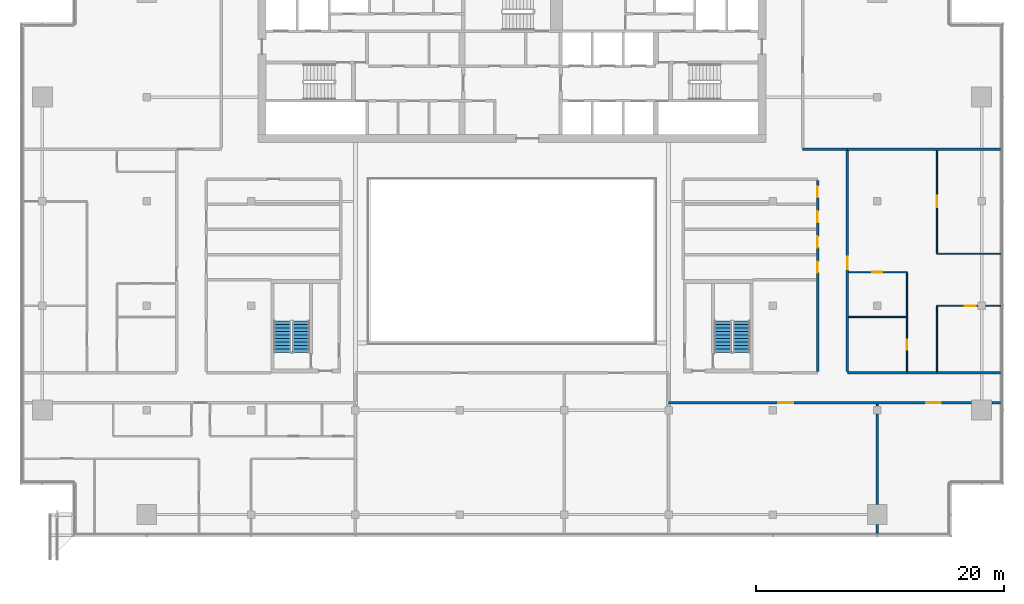
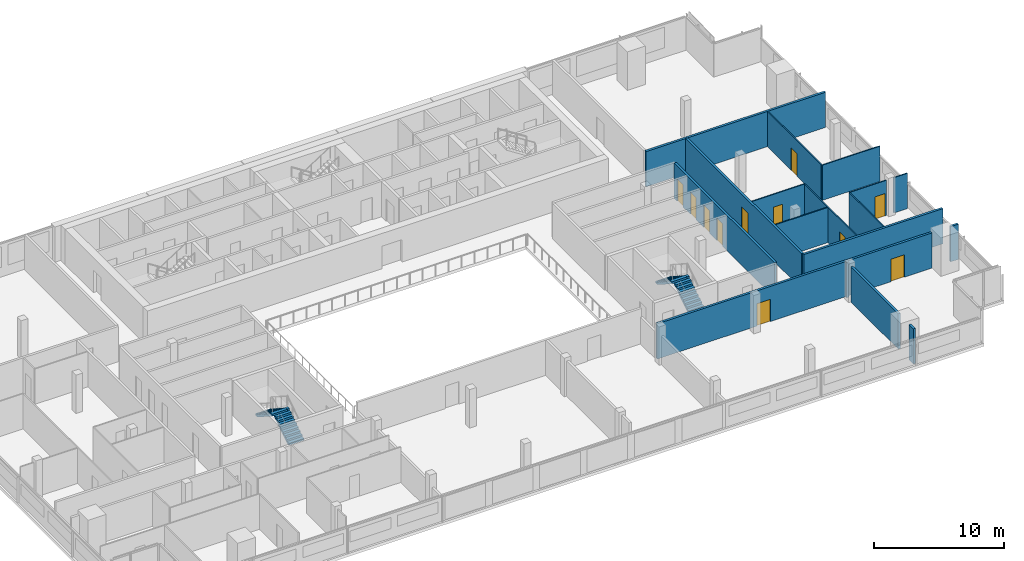
# One storey, part 22 of 25: 18 walls, 11 doors, 4 stair flights, 11 openings, 2 elements without a shape of their own.
"""IFC4 building model written with IfcOpenShell, lengths in metres."""

import ifcopenshell
import ifcopenshell.guid

model = None  # the IFC model being written
_history = None  # IfcOwnerHistory: only IFC2X3 demands one
_inside = {}  # id of a spatial element -> (the spatial element, [elements in it])
_under = {}  # id of a project, library or spatial element -> (it, [spatial elements below it])
_declared = {}  # id of a project -> (the project, [libraries it declares])
_typed = {}  # id of a type object -> (the type object, [elements of that type])
_made_of = {}  # id of a material, layer set ... -> (it, [elements and type objects made of it])


def new_model(schema):
    """Start an empty IFC model of exactly this schema.

    Asked for "IFC4X3", IfcOpenShell would pick the latest addendum, in which some entities
    have other attributes; the version numbers below select the first issue.
    IFC2X3 requires an IfcOwnerHistory on every rooted entity: one is made here for all.
    """
    global model, _history
    if schema == "IFC4X3":
        model = ifcopenshell.file(schema_version=(4, 3, 0, 0))
    else:
        model = ifcopenshell.file(schema=schema)
    _inside.clear()
    _under.clear()
    _declared.clear()
    _typed.clear()
    _made_of.clear()
    _history = None
    if model.schema == "IFC2X3":
        org = make("IfcOrganization", Name="unknown")
        user = make(
            "IfcPersonAndOrganization",
            ThePerson=make("IfcPerson", FamilyName="unknown"),
            TheOrganization=org,
        )
        app = make(
            "IfcApplication",
            ApplicationDeveloper=org,
            Version="unknown",
            ApplicationFullName="unknown",
            ApplicationIdentifier="unknown",
        )
        _history = make(
            "IfcOwnerHistory",
            OwningUser=user,
            OwningApplication=app,
            ChangeAction="ADDED",
            CreationDate=0,
        )
    return model


def make(cls, **values):
    """One entity of the class cls with the attributes given. An attribute that is None is left unset."""
    return model.create_entity(
        cls, **{name: value for name, value in values.items() if value is not None}
    )


def rooted(cls, **values):
    """An entity with a GlobalId (a new one), such as an element, a storey or a relation."""
    return make(cls, GlobalId=ifcopenshell.guid.new(), OwnerHistory=_history, **values)


def si_unit(unit_type, name, prefix=None):
    """IfcSIUnit, for example si_unit("LENGTHUNIT", "METRE", prefix="MILLI")."""
    return make("IfcSIUnit", UnitType=unit_type, Prefix=prefix, Name=name)


def assignment(units):
    """IfcUnitAssignment: the units of a project."""
    return None if units is None else make("IfcUnitAssignment", Units=units)


def point(xyz):
    """IfcCartesianPoint."""
    return None if xyz is None else make("IfcCartesianPoint", Coordinates=xyz)


def direction(xyz):
    """IfcDirection."""
    return None if xyz is None else make("IfcDirection", DirectionRatios=xyz)


def frame(location, z_axis=None, x_axis=None):
    """IfcAxis2Placement3D, a coordinate frame: its origin and axes. An axis left out is left unset."""
    return make(
        "IfcAxis2Placement3D",
        Location=point(location),
        Axis=direction(z_axis),
        RefDirection=direction(x_axis),
    )


def frame_2d(location, x_axis=None):
    """IfcAxis2Placement2D, a coordinate frame in the plane: its origin and x axis."""
    return make(
        "IfcAxis2Placement2D", Location=point(location), RefDirection=direction(x_axis)
    )


def origin():
    """The frame at (0, 0, 0) with its axes left unset."""
    return frame((0.0, 0.0, 0.0))


def place(relative_to, where):
    """IfcLocalPlacement: puts the frame where relative to a parent placement (None: the world)."""
    return make(
        "IfcLocalPlacement", PlacementRelTo=relative_to, RelativePlacement=where
    )


def context(
    kind, dimensions, precision=None, world=None, true_north=None, identifier=None
):
    """IfcGeometricRepresentationContext, for example the 3D "Model" context."""
    return make(
        "IfcGeometricRepresentationContext",
        ContextIdentifier=identifier,
        ContextType=kind,
        CoordinateSpaceDimension=dimensions,
        Precision=precision,
        WorldCoordinateSystem=world,
        TrueNorth=true_north,
    )


def subcontext(parent, identifier, kind, view, scale=None):
    """IfcGeometricRepresentationSubContext, for example "Body" below "Model"."""
    return make(
        "IfcGeometricRepresentationSubContext",
        ContextIdentifier=identifier,
        ContextType=kind,
        ParentContext=parent,
        TargetScale=scale,
        TargetView=view,
    )


def project(units=None, contexts=None):
    """IfcProject with its units and contexts."""
    return rooted(
        "IfcProject",
        Name="project",
        RepresentationContexts=contexts,
        UnitsInContext=assignment(units),
    )


def spatial(cls, under=None, at=None, **own):
    """A site, building, storey or space (cls), placed at a placement, below another one or the project."""
    s = rooted(cls, ObjectPlacement=at, **own)
    if under is not None:
        _under.setdefault(under.id(), (under, []))[1].append(s)
    return s


def polyline(points):
    """IfcPolyline through the points."""
    return make("IfcPolyline", Points=[point(p) for p in points])


def profile(cls, at=None, kind="AREA", **sizes):
    """A parametric profile (cls). Its sizes go by their IFC names, for example OverallWidth=200.0."""
    return make(cls, ProfileType=kind, Position=at, **sizes)


def rectangle(**sizes):
    """IfcRectangleProfileDef."""
    return profile("IfcRectangleProfileDef", **sizes)


def outline(outer, holes=None, kind="AREA"):
    """IfcArbitraryClosedProfileDef: a profile drawn as a closed curve; with holes, ...WithVoids."""
    if holes is None:
        return make("IfcArbitraryClosedProfileDef", ProfileType=kind, OuterCurve=outer)
    return make(
        "IfcArbitraryProfileDefWithVoids",
        ProfileType=kind,
        OuterCurve=outer,
        InnerCurves=holes,
    )


def extrude(swept, where, along, depth):
    """IfcExtrudedAreaSolid: the profile swept, set in the frame where, extruded along a direction by depth."""
    return make(
        "IfcExtrudedAreaSolid",
        SweptArea=swept,
        Position=where,
        ExtrudedDirection=direction(along),
        Depth=depth,
    )


def shape(context_of_items, identifier, shape_type, items):
    """IfcShapeRepresentation: the items that make up one representation, for example the "Body"."""
    return make(
        "IfcShapeRepresentation",
        ContextOfItems=context_of_items,
        RepresentationIdentifier=identifier,
        RepresentationType=shape_type,
        Items=items,
    )


def material(Name=None, Category=None):
    """IfcMaterial."""
    return make("IfcMaterial", Name=Name, Category=Category)


def layer(
    of_material, thickness, ventilated=None, Name=None, Category=None, Priority=None
):
    """IfcMaterialLayer: one layer of a wall or slab, of a material (None: an air gap)."""
    return make(
        "IfcMaterialLayer",
        Material=of_material,
        LayerThickness=thickness,
        IsVentilated=ventilated,
        Name=Name,
        Category=Category,
        Priority=Priority,
    )


def layer_set(layers, Name=None):
    """IfcMaterialLayerSet."""
    return make("IfcMaterialLayerSet", MaterialLayers=layers, LayerSetName=Name)


def made_of(thing, what):
    """Note that an element or type object is made of a material, layer set ...; save() writes the relation."""
    if what is not None:
        _made_of.setdefault(what.id(), (what, []))[1].append(thing)
    return thing


def type_object(cls, material=None, **own):
    """A type object (cls), such as IfcWallType, which elements share."""
    return made_of(rooted(cls, **own), material)


def element(
    cls,
    number,
    at=None,
    inside=None,
    cuts=None,
    type_object=None,
    material=None,
    context=None,
    identifier="Body",
    shape_type=None,
    held_by="IfcProductDefinitionShape",
    body=None,
    shapes=None,
    **own,
):
    """One element of the class cls, such as IfcWall. Its Tag is "e" and its number.

    at: its placement. inside: the storey or other place that contains it. cuts: it is an
    opening in that element (IfcRelVoidsElement). A single representation is given by context,
    identifier, shape_type and body (its items); several are given by shapes. held_by: the class
    of the entity that holds the representations. save() writes the other relations.
    """
    e = rooted(cls, Tag="e%d" % number, ObjectPlacement=at, **own)
    if body is not None:
        shapes = [shape(context, identifier, shape_type, body)]
    if shapes is not None:
        e.Representation = make(held_by, Representations=shapes)
    if inside is not None:
        _inside.setdefault(inside.id(), (inside, []))[1].append(e)
    if cuts is not None:
        rooted(
            "IfcRelVoidsElement", RelatingBuildingElement=cuts, RelatedOpeningElement=e
        )
    if type_object is not None:
        _typed.setdefault(type_object.id(), (type_object, []))[1].append(e)
    return made_of(e, material)


def fill(opening, filler):
    """IfcRelFillsElement: the door or window that sits in an opening."""
    return rooted(
        "IfcRelFillsElement",
        RelatingOpeningElement=opening,
        RelatedBuildingElement=filler,
    )


def aggregate(whole, parts):
    """IfcRelAggregates: a whole, such as a stair, and the parts it consists of."""
    return rooted("IfcRelAggregates", RelatingObject=whole, RelatedObjects=parts)


def save(model, path):
    """Write the relations noted so far, then the file.

    IfcRelAggregates (storeys below a building ...), IfcRelContainedInSpatialStructure (elements
    in a storey), IfcRelDefinesByType, IfcRelAssociatesMaterial and IfcRelDeclares: one each for
    every whole, place, type object, material and project.
    """
    for whole, parts in _under.values():
        aggregate(whole, parts)
    for where, things in _inside.values():
        rooted(
            "IfcRelContainedInSpatialStructure",
            RelatedElements=things,
            RelatingStructure=where,
        )
    for kind, things in _typed.values():
        rooted("IfcRelDefinesByType", RelatedObjects=things, RelatingType=kind)
    for what, things in _made_of.values():
        rooted("IfcRelAssociatesMaterial", RelatedObjects=things, RelatingMaterial=what)
    for by, libraries in _declared.values():
        rooted("IfcRelDeclares", RelatingContext=by, RelatedDefinitions=libraries)
    model.write(path)


model = new_model("IFC4")

# Units and contexts
model_context = context("Model", 3, precision=1e-05, world=origin(), true_north=direction((0.0, 1.0)))
body_context = subcontext(model_context, "Body", "Model", "MODEL_VIEW")
ifc_project = project(units=[si_unit("LENGTHUNIT", "METRE"), si_unit("AREAUNIT", "SQUARE_METRE"), si_unit("VOLUMEUNIT", "CUBIC_METRE"), si_unit("PLANEANGLEUNIT", "RADIAN"), si_unit("MASSUNIT", "GRAM", prefix="KILO")], contexts=[model_context])

# Site, building, storey
site_placement = place(None, origin())
site = spatial("IfcSite", under=ifc_project, at=site_placement, CompositionType="ELEMENT")
building_placement = place(site_placement, origin())
building = spatial("IfcBuilding", under=site, at=building_placement, Name="Saffron Gate Tower", CompositionType="ELEMENT")
storey_placement = place(building_placement, frame((0.0, 0.0, 248.699951171875)))
storey = spatial("IfcBuildingStorey", under=building, at=storey_placement, Name="L61", CompositionType="ELEMENT", Elevation=248.699951171875)

# Wall
ifc_material_1 = material(Name="Plasterboard on steel studs", Category="steel")
ifc_layer_1 = layer(ifc_material_1, 0.10009765625)
ifc_layer_set_1 = layer_set([ifc_layer_1], Name="PW1 Partition 100")
wall_type_1 = type_object("IfcWallType", Name="PW1 Partition 100", PredefinedType="PARTITIONING", material=ifc_layer_set_1)
wall_1_placement = place(storey_placement, frame((114.699951171875, 47.699951171875, 0.0), z_axis=(0.0, 0.0, 1.0), x_axis=(1.0, 0.0, 0.0)))
element("IfcWall", 1, at=wall_1_placement, inside=storey, type_object=wall_type_1, Name="Partition D5-15", PredefinedType="PARTITIONING", context=body_context, shape_type="SweptSolid", body=[
    extrude(rectangle(XDim=4.650146484375, YDim=0.10009765625, at=frame_2d((2.3251953125, 0.0))), origin(), (0.0, 0.0, 1.0), 3.300048828125),
])

# Wall, opening, door
wall_2_placement = place(storey_placement, frame((125.080078125, 48.60009765625, 0.0), z_axis=(0.0, 0.0, 1.0), x_axis=(-1.0, 0.0, 0.0)))
wall_2 = element("IfcWall", 2, at=wall_2_placement, inside=storey, type_object=wall_type_1, Name="Partition D5-18", PredefinedType="PARTITIONING", context=body_context, shape_type="SweptSolid", body=[
    extrude(rectangle(XDim=3.280029296875, YDim=0.10009765625, at=frame_2d((1.64013671875, 0.0))), origin(), (0.0, 0.0, 1.0), 3.300048828125),
])
opening_1_placement = place(wall_2_placement, frame((0.14990234375, 0.0, 0.0)))
opening_1 = element("IfcOpeningElement", 3, at=opening_1_placement, cuts=wall_2, Name="Opening D5-20", PredefinedType="OPENING", context=body_context, shape_type="SweptSolid", body=[
    extrude(rectangle(XDim=0.89990234375, YDim=2.10009765625, at=frame_2d((0.449951171875, 1.050048828125))), frame((0.0, 0.06005859375, 0.0), z_axis=(0.0, -1.0, 0.0), x_axis=(1.0, 0.0, 0.0)), (0.0, 0.0, 1.0), 0.1201171875),
])
ifc_material_2 = material(Name="Timber door set", Category="wood")
door_type_1 = type_object("IfcDoorType", Name="RD1 Room door 900x2100", OperationType="NOTDEFINED", PredefinedType="DOOR", material=ifc_material_2)
door_1_placement = place(opening_1_placement, origin())
door_1 = element("IfcDoor", 4, at=door_1_placement, inside=storey, type_object=door_type_1, Name="Door D5-20", OperationType="SINGLE_SWING_LEFT", OverallHeight=2.10009765625, OverallWidth=0.89990234375, PredefinedType="DOOR", context=body_context, shape_type="SweptSolid", body=[
    extrude(rectangle(XDim=0.89990234375, YDim=2.10009765625, at=frame_2d((0.449951171875, 1.050048828125))), frame((0.0, 0.02490234375, 0.0), z_axis=(0.0, -1.0, 0.0), x_axis=(1.0, 0.0, 0.0)), (0.0, 0.0, 1.0), 0.050048828125),
])
fill(opening_1, door_1)

# Wall
wall_3_placement = place(storey_placement, frame((125.719970703125, 48.60009765625, 0.0), z_axis=(0.0, 0.0, 1.0), x_axis=(1.0, 0.0, 0.0)))
element("IfcWall", 5, at=wall_3_placement, inside=storey, type_object=wall_type_1, Name="Partition D5-19", PredefinedType="PARTITIONING", context=body_context, shape_type="SweptSolid", body=[
    extrude(rectangle(XDim=1.199951171875, YDim=0.10009765625, at=frame_2d((0.60009765625, 0.0))), origin(), (0.0, 0.0, 1.0), 3.300048828125),
])

# Wall, opening, door
wall_4_placement = place(storey_placement, frame((119.39990234375, 51.300048828125, 0.0), z_axis=(0.0, 0.0, 1.0), x_axis=(-1.0, 0.0, 0.0)))
wall_4 = element("IfcWall", 6, at=wall_4_placement, inside=storey, type_object=wall_type_1, Name="Partition D5-23", PredefinedType="PARTITIONING", context=body_context, shape_type="SweptSolid", body=[
    extrude(rectangle(XDim=4.699951171875, YDim=0.10009765625, at=frame_2d((2.35009765625, 0.0))), origin(), (0.0, 0.0, 1.0), 3.300048828125),
])
opening_2_placement = place(wall_4_placement, frame((2.0, 0.0, 0.0)))
opening_2 = element("IfcOpeningElement", 7, at=opening_2_placement, cuts=wall_4, Name="Opening D5-27", PredefinedType="OPENING", context=body_context, shape_type="SweptSolid", body=[
    extrude(rectangle(XDim=0.800048828125, YDim=2.10009765625, at=frame_2d((0.39990234375, 1.050048828125))), frame((0.0, 0.06005859375, 0.0), z_axis=(0.0, -1.0, 0.0), x_axis=(1.0, 0.0, 0.0)), (0.0, 0.0, 1.0), 0.1201171875),
])
door_type_2 = type_object("IfcDoorType", Name="RD2 Bathroom door 800x2100", OperationType="NOTDEFINED", PredefinedType="DOOR", material=ifc_material_2)
door_2_placement = place(opening_2_placement, origin())
door_2 = element("IfcDoor", 8, at=door_2_placement, inside=storey, type_object=door_type_2, Name="Door D5-27", OperationType="SINGLE_SWING_RIGHT", OverallHeight=2.10009765625, OverallWidth=0.800048828125, PredefinedType="DOOR", context=body_context, shape_type="SweptSolid", body=[
    extrude(rectangle(XDim=0.800048828125, YDim=2.10009765625, at=frame_2d((0.39990234375, 1.050048828125))), frame((0.0, 0.02490234375, 0.0), z_axis=(0.0, -1.0, 0.0), x_axis=(1.0, 0.0, 0.0)), (0.0, 0.0, 1.0), 0.050048828125),
])
fill(opening_2, door_2)

# Wall
wall_5_placement = place(storey_placement, frame((121.800048828125, 52.800048828125, 0.0), z_axis=(0.0, 0.0, 1.0), x_axis=(1.0, 0.0, 0.0)))
element("IfcWall", 9, at=wall_5_placement, inside=storey, type_object=wall_type_1, Name="Partition D5-26", PredefinedType="PARTITIONING", context=body_context, shape_type="SweptSolid", body=[
    extrude(rectangle(XDim=5.119873046875, YDim=0.10009765625, at=frame_2d((2.56005859375, 0.0))), origin(), (0.0, 0.0, 1.0), 3.300048828125),
])

# Wall, opening, door
wall_6_placement = place(storey_placement, frame((119.39990234375, 43.300048828125, 0.0), z_axis=(0.0, 0.0, 1.0), x_axis=(0.0, 1.0, 0.0)))
wall_6 = element("IfcWall", 10, at=wall_6_placement, inside=storey, type_object=wall_type_1, Name="Partition D5-76", PredefinedType="PARTITIONING", context=body_context, shape_type="SweptSolid", body=[
    extrude(rectangle(XDim=7.949951171875, YDim=0.10009765625, at=frame_2d((3.97509765625, 0.0))), origin(), (0.0, 0.0, 1.0), 3.300048828125),
])
opening_3_placement = place(wall_6_placement, frame((1.75, 0.0, 0.0)))
opening_3 = element("IfcOpeningElement", 11, at=opening_3_placement, cuts=wall_6, Name="Opening D5-26", PredefinedType="OPENING", context=body_context, shape_type="SweptSolid", body=[
    extrude(rectangle(XDim=0.800048828125, YDim=2.10009765625, at=frame_2d((0.39990234375, 1.050048828125))), frame((0.0, 0.06005859375, 0.0), z_axis=(0.0, -1.0, 0.0), x_axis=(1.0, 0.0, 0.0)), (0.0, 0.0, 1.0), 0.1201171875),
])
door_3_placement = place(opening_3_placement, origin())
door_3 = element("IfcDoor", 12, at=door_3_placement, inside=storey, type_object=door_type_2, Name="Door D5-26", OperationType="SINGLE_SWING_LEFT", OverallHeight=2.10009765625, OverallWidth=0.800048828125, PredefinedType="DOOR", context=body_context, shape_type="SweptSolid", body=[
    extrude(rectangle(XDim=0.800048828125, YDim=2.10009765625, at=frame_2d((0.39990234375, 1.050048828125))), frame((0.0, 0.02490234375, 0.0), z_axis=(0.0, -1.0, 0.0), x_axis=(1.0, 0.0, 0.0)), (0.0, 0.0, 1.0), 0.050048828125),
])
fill(opening_3, door_3)

# Wall
wall_7_placement = place(storey_placement, frame((121.800048828125, 48.550048828125, 0.0), z_axis=(0.0, 0.0, 1.0), x_axis=(0.0, -1.0, 0.0)))
element("IfcWall", 13, at=wall_7_placement, inside=storey, type_object=wall_type_1, Name="Partition D5-77", PredefinedType="PARTITIONING", context=body_context, shape_type="SweptSolid", body=[
    extrude(rectangle(XDim=5.25, YDim=0.10009765625, at=frame_2d((2.625, 0.0))), origin(), (0.0, 0.0, 1.0), 3.300048828125),
])

# Wall, opening, door
wall_8_placement = place(storey_placement, frame((121.800048828125, 61.10009765625, 0.0), z_axis=(0.0, 0.0, 1.0), x_axis=(0.0, -1.0, 0.0)))
wall_8 = element("IfcWall", 14, at=wall_8_placement, inside=storey, type_object=wall_type_1, Name="Partition D5-78", PredefinedType="PARTITIONING", context=body_context, shape_type="SweptSolid", body=[
    extrude(rectangle(XDim=8.25, YDim=0.10009765625, at=frame_2d((4.125, 0.0))), origin(), (0.0, 0.0, 1.0), 3.300048828125),
])
opening_4_placement = place(wall_8_placement, frame((3.64990234375, 0.0, 0.0)))
opening_4 = element("IfcOpeningElement", 15, at=opening_4_placement, cuts=wall_8, Name="Opening D5-21", PredefinedType="OPENING", context=body_context, shape_type="SweptSolid", body=[
    extrude(rectangle(XDim=0.89990234375, YDim=2.10009765625, at=frame_2d((0.449951171875, 1.050048828125))), frame((0.0, 0.06005859375, 0.0), z_axis=(0.0, -1.0, 0.0), x_axis=(1.0, 0.0, 0.0)), (0.0, 0.0, 1.0), 0.1201171875),
])
door_4_placement = place(opening_4_placement, origin())
door_4 = element("IfcDoor", 16, at=door_4_placement, inside=storey, type_object=door_type_1, Name="Door D5-21", OperationType="SINGLE_SWING_LEFT", OverallHeight=2.10009765625, OverallWidth=0.89990234375, PredefinedType="DOOR", context=body_context, shape_type="SweptSolid", body=[
    extrude(rectangle(XDim=0.89990234375, YDim=2.10009765625, at=frame_2d((0.449951171875, 1.050048828125))), frame((0.0, 0.02490234375, 0.0), z_axis=(0.0, -1.0, 0.0), x_axis=(1.0, 0.0, 0.0)), (0.0, 0.0, 1.0), 0.050048828125),
])
fill(opening_4, door_4)

# Wall, openings, doors
ifc_material_3 = material(Name="Clay brick masonry, rendered", Category="masonry")
ifc_layer_2 = layer(ifc_material_3, 0.199951171875)
ifc_layer_set_2 = layer_set([ifc_layer_2], Name="PW3 Corridor wall 200")
wall_type_2 = type_object("IfcWallType", Name="PW3 Corridor wall 200", PredefinedType="PARTITIONING", material=ifc_layer_set_2)
wall_9_placement = place(storey_placement, frame((124.580078125, 40.800048828125, 0.0), z_axis=(0.0, 0.0, 1.0), x_axis=(-1.0, 0.0, 0.0)))
wall_9 = element("IfcWall", 17, at=wall_9_placement, inside=storey, type_object=wall_type_2, Name="Wall D5-7", PredefinedType="PARTITIONING", context=body_context, shape_type="SweptSolid", body=[
    extrude(rectangle(XDim=24.380126953125, YDim=0.199951171875, at=frame_2d((12.18994140625, 0.0))), origin(), (0.0, 0.0, 1.0), 3.300048828125),
])
opening_5_placement = place(wall_9_placement, frame((2.451904296875, 0.0, 0.0)))
opening_5 = element("IfcOpeningElement", 18, at=opening_5_placement, cuts=wall_9, Name="Opening D5-31", PredefinedType="OPENING", context=body_context, shape_type="SweptSolid", body=[
    extrude(rectangle(XDim=1.199951171875, YDim=2.10009765625, at=frame_2d((0.60009765625, 1.050048828125))), frame((0.0, 0.10986328125, 0.0), z_axis=(0.0, -1.0, 0.0), x_axis=(1.0, 0.0, 0.0)), (0.0, 0.0, 1.0), 0.219970703125),
])
opening_6_placement = place(wall_9_placement, frame((14.330078125, 0.0, 0.0)))
opening_6 = element("IfcOpeningElement", 19, at=opening_6_placement, cuts=wall_9, Name="Opening D5-30", PredefinedType="OPENING", context=body_context, shape_type="SweptSolid", body=[
    extrude(rectangle(XDim=1.199951171875, YDim=2.10009765625, at=frame_2d((0.60009765625, 1.050048828125))), frame((0.0, 0.10986328125, 0.0), z_axis=(0.0, -1.0, 0.0), x_axis=(1.0, 0.0, 0.0)), (0.0, 0.0, 1.0), 0.219970703125),
])
door_type_3 = type_object("IfcDoorType", Name="HD1 Hall door 1200x2100", OperationType="NOTDEFINED", PredefinedType="DOOR", material=ifc_material_2)
door_5_placement = place(opening_5_placement, origin())
door_5 = element("IfcDoor", 20, at=door_5_placement, inside=storey, type_object=door_type_3, Name="Door D5-31", OperationType="SINGLE_SWING_LEFT", OverallHeight=2.10009765625, OverallWidth=1.199951171875, PredefinedType="DOOR", context=body_context, shape_type="SweptSolid", body=[
    extrude(rectangle(XDim=1.199951171875, YDim=2.10009765625, at=frame_2d((0.60009765625, 1.050048828125))), frame((0.0, 0.02490234375, 0.0), z_axis=(0.0, -1.0, 0.0), x_axis=(1.0, 0.0, 0.0)), (0.0, 0.0, 1.0), 0.050048828125),
])
fill(opening_5, door_5)
door_6_placement = place(opening_6_placement, origin())
door_6 = element("IfcDoor", 21, at=door_6_placement, inside=storey, type_object=door_type_3, Name="Door D5-30", OperationType="SINGLE_SWING_LEFT", OverallHeight=2.10009765625, OverallWidth=1.199951171875, PredefinedType="DOOR", context=body_context, shape_type="SweptSolid", body=[
    extrude(rectangle(XDim=1.199951171875, YDim=2.10009765625, at=frame_2d((0.60009765625, 1.050048828125))), frame((0.0, 0.02490234375, 0.0), z_axis=(0.0, -1.0, 0.0), x_axis=(1.0, 0.0, 0.0)), (0.0, 0.0, 1.0), 0.050048828125),
])
fill(opening_6, door_6)

# Walls
wall_10_placement = place(storey_placement, frame((126.219970703125, 40.800048828125, 0.0), z_axis=(0.0, 0.0, 1.0), x_axis=(1.0, 0.0, 0.0)))
element("IfcWall", 22, at=wall_10_placement, inside=storey, type_object=wall_type_2, Name="Wall D5-8", PredefinedType="PARTITIONING", context=body_context, shape_type="SweptSolid", body=[
    extrude(rectangle(XDim=0.699951171875, YDim=0.199951171875, at=frame_2d((0.35009765625, 0.0))), origin(), (0.0, 0.0, 1.0), 3.300048828125),
])
wall_11_placement = place(storey_placement, frame((114.60009765625, 43.199951171875, 0.0), z_axis=(0.0, 0.0, 1.0), x_axis=(1.0, 0.0, 0.0)))
element("IfcWall", 23, at=wall_11_placement, inside=storey, type_object=wall_type_2, Name="Wall D5-13", PredefinedType="PARTITIONING", context=body_context, shape_type="SweptSolid", body=[
    extrude(rectangle(XDim=12.31982421875, YDim=0.199951171875, at=frame_2d((6.159912109375, 0.0))), origin(), (0.0, 0.0, 1.0), 3.300048828125),
])
wall_12_placement = place(storey_placement, frame((111.0, 61.199951171875, 0.0), z_axis=(0.0, 0.0, 1.0), x_axis=(1.0, 0.0, 0.0)))
element("IfcWall", 24, at=wall_12_placement, inside=storey, type_object=wall_type_2, Name="Wall D5-39", PredefinedType="PARTITIONING", context=body_context, shape_type="SweptSolid", body=[
    extrude(rectangle(XDim=3.60009765625, YDim=0.199951171875, at=frame_2d((1.800048828125, 0.0))), origin(), (0.0, 0.0, 1.0), 3.300048828125),
])

# Wall, openings, doors
wall_13_placement = place(storey_placement, frame((112.199951171875, 43.300048828125, 0.0), z_axis=(0.0, 0.0, 1.0), x_axis=(0.0, 1.0, 0.0)))
wall_13 = element("IfcWall", 25, at=wall_13_placement, inside=storey, type_object=wall_type_2, Name="Wall D5-71", PredefinedType="PARTITIONING", context=body_context, shape_type="SweptSolid", body=[
    extrude(rectangle(XDim=15.39990234375, YDim=0.199951171875, at=frame_2d((7.699951171875, 0.0))), origin(), (0.0, 0.0, 1.0), 3.300048828125),
])
opening_7_placement = place(wall_13_placement, frame((7.96240234375, 0.0, 0.0)))
opening_7 = element("IfcOpeningElement", 26, at=opening_7_placement, cuts=wall_13, Name="Opening D5-4", PredefinedType="OPENING", context=body_context, shape_type="SweptSolid", body=[
    extrude(rectangle(XDim=0.89990234375, YDim=2.10009765625, at=frame_2d((0.449951171875, 1.050048828125))), frame((0.0, 0.10986328125, 0.0), z_axis=(0.0, -1.0, 0.0), x_axis=(1.0, 0.0, 0.0)), (0.0, 0.0, 1.0), 0.219970703125),
])
opening_8_placement = place(wall_13_placement, frame((9.987548828125, 0.0, 0.0)))
opening_8 = element("IfcOpeningElement", 27, at=opening_8_placement, cuts=wall_13, Name="Opening D5-5", PredefinedType="OPENING", context=body_context, shape_type="SweptSolid", body=[
    extrude(rectangle(XDim=0.89990234375, YDim=2.10009765625, at=frame_2d((0.449951171875, 1.050048828125))), frame((0.0, 0.10986328125, 0.0), z_axis=(0.0, -1.0, 0.0), x_axis=(1.0, 0.0, 0.0)), (0.0, 0.0, 1.0), 0.219970703125),
])
opening_9_placement = place(wall_13_placement, frame((12.012451171875, 0.0, 0.0)))
opening_9 = element("IfcOpeningElement", 28, at=opening_9_placement, cuts=wall_13, Name="Opening D5-6", PredefinedType="OPENING", context=body_context, shape_type="SweptSolid", body=[
    extrude(rectangle(XDim=0.89990234375, YDim=2.10009765625, at=frame_2d((0.449951171875, 1.050048828125))), frame((0.0, 0.10986328125, 0.0), z_axis=(0.0, -1.0, 0.0), x_axis=(1.0, 0.0, 0.0)), (0.0, 0.0, 1.0), 0.219970703125),
])
opening_10_placement = place(wall_13_placement, frame((14.03759765625, 0.0, 0.0)))
opening_10 = element("IfcOpeningElement", 29, at=opening_10_placement, cuts=wall_13, Name="Opening D5-7", PredefinedType="OPENING", context=body_context, shape_type="SweptSolid", body=[
    extrude(rectangle(XDim=0.89990234375, YDim=2.10009765625, at=frame_2d((0.449951171875, 1.050048828125))), frame((0.0, 0.10986328125, 0.0), z_axis=(0.0, -1.0, 0.0), x_axis=(1.0, 0.0, 0.0)), (0.0, 0.0, 1.0), 0.219970703125),
])
door_7_placement = place(opening_7_placement, origin())
door_7 = element("IfcDoor", 30, at=door_7_placement, inside=storey, type_object=door_type_1, Name="Door D5-4", OperationType="SINGLE_SWING_LEFT", OverallHeight=2.10009765625, OverallWidth=0.89990234375, PredefinedType="DOOR", context=body_context, shape_type="SweptSolid", body=[
    extrude(rectangle(XDim=0.89990234375, YDim=2.10009765625, at=frame_2d((0.449951171875, 1.050048828125))), frame((0.0, 0.02490234375, 0.0), z_axis=(0.0, -1.0, 0.0), x_axis=(1.0, 0.0, 0.0)), (0.0, 0.0, 1.0), 0.050048828125),
])
fill(opening_7, door_7)
door_8_placement = place(opening_8_placement, origin())
door_8 = element("IfcDoor", 31, at=door_8_placement, inside=storey, type_object=door_type_1, Name="Door D5-5", OperationType="SINGLE_SWING_LEFT", OverallHeight=2.10009765625, OverallWidth=0.89990234375, PredefinedType="DOOR", context=body_context, shape_type="SweptSolid", body=[
    extrude(rectangle(XDim=0.89990234375, YDim=2.10009765625, at=frame_2d((0.449951171875, 1.050048828125))), frame((0.0, 0.02490234375, 0.0), z_axis=(0.0, -1.0, 0.0), x_axis=(1.0, 0.0, 0.0)), (0.0, 0.0, 1.0), 0.050048828125),
])
fill(opening_8, door_8)
door_9_placement = place(opening_9_placement, origin())
door_9 = element("IfcDoor", 32, at=door_9_placement, inside=storey, type_object=door_type_1, Name="Door D5-6", OperationType="SINGLE_SWING_LEFT", OverallHeight=2.10009765625, OverallWidth=0.89990234375, PredefinedType="DOOR", context=body_context, shape_type="SweptSolid", body=[
    extrude(rectangle(XDim=0.89990234375, YDim=2.10009765625, at=frame_2d((0.449951171875, 1.050048828125))), frame((0.0, 0.02490234375, 0.0), z_axis=(0.0, -1.0, 0.0), x_axis=(1.0, 0.0, 0.0)), (0.0, 0.0, 1.0), 0.050048828125),
])
fill(opening_9, door_9)
door_10_placement = place(opening_10_placement, origin())
door_10 = element("IfcDoor", 33, at=door_10_placement, inside=storey, type_object=door_type_1, Name="Door D5-7", OperationType="SINGLE_SWING_RIGHT", OverallHeight=2.10009765625, OverallWidth=0.89990234375, PredefinedType="DOOR", context=body_context, shape_type="SweptSolid", body=[
    extrude(rectangle(XDim=0.89990234375, YDim=2.10009765625, at=frame_2d((0.449951171875, 1.050048828125))), frame((0.0, 0.02490234375, 0.0), z_axis=(0.0, -1.0, 0.0), x_axis=(1.0, 0.0, 0.0)), (0.0, 0.0, 1.0), 0.050048828125),
])
fill(opening_10, door_10)

# Wall, opening, door
wall_14_placement = place(storey_placement, frame((114.60009765625, 61.10009765625, 0.0), z_axis=(0.0, 0.0, 1.0), x_axis=(0.0, -1.0, 0.0)))
wall_14 = element("IfcWall", 34, at=wall_14_placement, inside=storey, type_object=wall_type_2, Name="Wall D5-72", PredefinedType="PARTITIONING", context=body_context, shape_type="SweptSolid", body=[
    extrude(rectangle(XDim=17.800048828125, YDim=0.199951171875, at=frame_2d((8.89990234375, 0.0))), origin(), (0.0, 0.0, 1.0), 3.300048828125),
])
opening_11_placement = place(wall_14_placement, frame((8.550048828125, 0.0, 0.0)))
opening_11 = element("IfcOpeningElement", 35, at=opening_11_placement, cuts=wall_14, Name="Opening D5-3", PredefinedType="OPENING", context=body_context, shape_type="SweptSolid", body=[
    extrude(rectangle(XDim=1.0, YDim=2.10009765625, at=frame_2d((0.5, 1.050048828125))), frame((0.0, 0.10986328125, 0.0), z_axis=(0.0, -1.0, 0.0), x_axis=(1.0, 0.0, 0.0)), (0.0, 0.0, 1.0), 0.219970703125),
])
ifc_material_4 = material(Name="Timber fire door set", Category="wood")
door_type_4 = type_object("IfcDoorType", Name="FD1 Flat entry door 1000x2100", OperationType="NOTDEFINED", PredefinedType="DOOR", material=ifc_material_4)
door_11_placement = place(opening_11_placement, origin())
door_11 = element("IfcDoor", 36, at=door_11_placement, inside=storey, type_object=door_type_4, Name="Door D5-3", OperationType="SINGLE_SWING_LEFT", OverallHeight=2.10009765625, OverallWidth=1.0, PredefinedType="DOOR", context=body_context, shape_type="SweptSolid", body=[
    extrude(rectangle(XDim=1.0, YDim=2.10009765625, at=frame_2d((0.5, 1.050048828125))), frame((0.0, 0.02490234375, 0.0), z_axis=(0.0, -1.0, 0.0), x_axis=(1.0, 0.0, 0.0)), (0.0, 0.0, 1.0), 0.050048828125),
])
fill(opening_11, door_11)

# Walls
ifc_layer_3 = layer(ifc_material_3, 0.199951171875)
ifc_layer_set_3 = layer_set([ifc_layer_3], Name="PW5 Room wall 200")
wall_type_3 = type_object("IfcWallType", Name="PW5 Room wall 200", PredefinedType="PARTITIONING", material=ifc_layer_set_3)
wall_15_placement = place(storey_placement, frame((114.60009765625, 61.199951171875, 0.0), z_axis=(0.0, 0.0, 1.0), x_axis=(1.0, 0.0, 0.0)))
element("IfcWall", 37, at=wall_15_placement, inside=storey, type_object=wall_type_3, Name="Wall D5-41", PredefinedType="PARTITIONING", context=body_context, shape_type="SweptSolid", body=[
    extrude(rectangle(XDim=12.31982421875, YDim=0.199951171875, at=frame_2d((6.159912109375, 0.0))), origin(), (0.0, 0.0, 1.0), 3.300048828125),
])
wall_16_placement = place(storey_placement, frame((117.0, 30.97998046875, 0.0), z_axis=(0.0, 0.0, 1.0), x_axis=(0.0, -1.0, 0.0)))
element("IfcWall", 38, at=wall_16_placement, inside=storey, type_object=wall_type_3, Name="Wall D5-73", PredefinedType="PARTITIONING", context=body_context, shape_type="SweptSolid", body=[
    extrude(rectangle(XDim=0.699951171875, YDim=0.199951171875, at=frame_2d((0.35009765625, 0.0))), origin(), (0.0, 0.0, 1.0), 3.300048828125),
])
wall_17_placement = place(storey_placement, frame((117.0, 39.8798828125, 0.0), z_axis=(0.0, 0.0, 1.0), x_axis=(0.0, -1.0, 0.0)))
element("IfcWall", 39, at=wall_17_placement, inside=storey, type_object=wall_type_3, Name="Wall D5-74", PredefinedType="PARTITIONING", context=body_context, shape_type="SweptSolid", body=[
    extrude(rectangle(XDim=7.259765625, YDim=0.199951171875, at=frame_2d((3.6298828125, 0.0))), origin(), (0.0, 0.0, 1.0), 3.300048828125),
])
wall_18_placement = place(storey_placement, frame((117.0, 40.699951171875, 0.0), z_axis=(0.0, 0.0, 1.0), x_axis=(0.0, -1.0, 0.0)))
element("IfcWall", 40, at=wall_18_placement, inside=storey, type_object=wall_type_3, Name="Wall D5-75", PredefinedType="PARTITIONING", context=body_context, shape_type="SweptSolid", body=[
    extrude(rectangle(XDim=0.179931640625, YDim=0.199951171875, at=frame_2d((0.08984375, 0.0))), origin(), (0.0, 0.0, 1.0), 3.300048828125),
])

# Stair, stair flights
ifc_material_5 = material(Name="Concrete C40", Category="concrete")
stair_type = type_object("IfcStairType", Name="ST7 Stair 1350 wide, 20 risers of 180", PredefinedType="HALF_TURN_STAIR", material=ifc_material_5)
stair_1_placement = place(storey_placement, origin())
stair_1 = element("IfcStair", 41, at=stair_1_placement, inside=storey, type_object=stair_type, Name="L61 Exit stair D", PredefinedType="HALF_TURN_STAIR")
stair_flight_type = type_object("IfcStairFlightType", Name="SF3 Stair flight 1350 wide, riser 180 going 280", PredefinedType="STRAIGHT", material=ifc_material_5)
stair_flight_1_placement = place(storey_placement, frame((70.625, 44.85009765625, 0.0), z_axis=(0.0, 0.0, 1.0), x_axis=(0.0, 1.0, 0.0)))
stair_flight_1 = element("IfcStairFlight", 42, at=stair_flight_1_placement, type_object=stair_flight_type, Name="ST-D flight 1", NumberOfRisers=10, NumberOfTreads=9, PredefinedType="STRAIGHT", RiserHeight=0.18, TreadLength=0.28, context=body_context, shape_type="SweptSolid", body=[
    extrude(outline(polyline([(0.0, 0.0), (0.0, 0.179931640625), (0.280029296875, 0.179931640625), (0.280029296875, 0.360107421875), (0.56005859375, 0.360107421875), (0.56005859375, 0.5400390625), (0.840087890625, 0.5400390625), (0.840087890625, 0.719970703125), (1.1201171875, 0.719970703125), (1.1201171875, 0.89990234375), (1.39990234375, 0.89990234375), (1.39990234375, 1.080078125), (1.679931640625, 1.080078125), (1.679931640625, 1.260009765625), (1.9599609375, 1.260009765625), (1.9599609375, 1.43994140625), (2.239990234375, 1.43994140625), (2.239990234375, 1.6201171875), (2.52001953125, 1.6201171875), (2.52001953125, 1.800048828125), (2.52001953125, 1.44189453125), (0.277099609375, 0.0), (0.0, 0.0)])), frame((0.0, 0.675048828125, 0.0), z_axis=(0.0, -1.0, 0.0), x_axis=(1.0, 0.0, 0.0)), (0.0, 0.0, 1.0), 1.35009765625),
])
stair_flight_2_placement = place(storey_placement, frame((69.125, 47.3701171875, 1.800048828125), z_axis=(0.0, 0.0, 1.0), x_axis=(0.0, -1.0, 0.0)))
stair_flight_2 = element("IfcStairFlight", 43, at=stair_flight_2_placement, type_object=stair_flight_type, Name="ST-D flight 2", NumberOfRisers=10, NumberOfTreads=9, PredefinedType="STRAIGHT", RiserHeight=0.18, TreadLength=0.28, context=body_context, shape_type="SweptSolid", body=[
    extrude(outline(polyline([(0.0, 0.0), (0.0, 0.179931640625), (0.280029296875, 0.179931640625), (0.280029296875, 0.360107421875), (0.56005859375, 0.360107421875), (0.56005859375, 0.5400390625), (0.840087890625, 0.5400390625), (0.840087890625, 0.719970703125), (1.1201171875, 0.719970703125), (1.1201171875, 0.89990234375), (1.39990234375, 0.89990234375), (1.39990234375, 1.080078125), (1.679931640625, 1.080078125), (1.679931640625, 1.260009765625), (1.9599609375, 1.260009765625), (1.9599609375, 1.43994140625), (2.239990234375, 1.43994140625), (2.239990234375, 1.6201171875), (2.52001953125, 1.6201171875), (2.52001953125, 1.800048828125), (2.52001953125, 1.44189453125), (0.277099609375, 0.0), (0.0, 0.0)])), frame((0.0, 0.675048828125, 0.0), z_axis=(0.0, -1.0, 0.0), x_axis=(1.0, 0.0, 0.0)), (0.0, 0.0, 1.0), 1.35009765625),
])
aggregate(stair_1, [stair_flight_1, stair_flight_2])

stair_2_placement = place(storey_placement, origin())
stair_2 = element("IfcStair", 44, at=stair_2_placement, inside=storey, type_object=stair_type, Name="L61 Exit stair E", PredefinedType="HALF_TURN_STAIR")
stair_flight_3_placement = place(storey_placement, frame((106.074951171875, 44.85009765625, 0.0), z_axis=(0.0, 0.0, 1.0), x_axis=(0.0, 1.0, 0.0)))
stair_flight_3 = element("IfcStairFlight", 45, at=stair_flight_3_placement, type_object=stair_flight_type, Name="ST-E flight 1", NumberOfRisers=10, NumberOfTreads=9, PredefinedType="STRAIGHT", RiserHeight=0.18, TreadLength=0.28, context=body_context, shape_type="SweptSolid", body=[
    extrude(outline(polyline([(0.0, 0.0), (0.0, 0.179931640625), (0.280029296875, 0.179931640625), (0.280029296875, 0.360107421875), (0.56005859375, 0.360107421875), (0.56005859375, 0.5400390625), (0.840087890625, 0.5400390625), (0.840087890625, 0.719970703125), (1.1201171875, 0.719970703125), (1.1201171875, 0.89990234375), (1.39990234375, 0.89990234375), (1.39990234375, 1.080078125), (1.679931640625, 1.080078125), (1.679931640625, 1.260009765625), (1.9599609375, 1.260009765625), (1.9599609375, 1.43994140625), (2.239990234375, 1.43994140625), (2.239990234375, 1.6201171875), (2.52001953125, 1.6201171875), (2.52001953125, 1.800048828125), (2.52001953125, 1.44189453125), (0.277099609375, 0.0), (0.0, 0.0)])), frame((0.0, 0.675048828125, 0.0), z_axis=(0.0, -1.0, 0.0), x_axis=(1.0, 0.0, 0.0)), (0.0, 0.0, 1.0), 1.35009765625),
])
stair_flight_4_placement = place(storey_placement, frame((104.574951171875, 47.3701171875, 1.800048828125), z_axis=(0.0, 0.0, 1.0), x_axis=(0.0, -1.0, 0.0)))
stair_flight_4 = element("IfcStairFlight", 46, at=stair_flight_4_placement, type_object=stair_flight_type, Name="ST-E flight 2", NumberOfRisers=10, NumberOfTreads=9, PredefinedType="STRAIGHT", RiserHeight=0.18, TreadLength=0.28, context=body_context, shape_type="SweptSolid", body=[
    extrude(outline(polyline([(0.0, 0.0), (0.0, 0.179931640625), (0.280029296875, 0.179931640625), (0.280029296875, 0.360107421875), (0.56005859375, 0.360107421875), (0.56005859375, 0.5400390625), (0.840087890625, 0.5400390625), (0.840087890625, 0.719970703125), (1.1201171875, 0.719970703125), (1.1201171875, 0.89990234375), (1.39990234375, 0.89990234375), (1.39990234375, 1.080078125), (1.679931640625, 1.080078125), (1.679931640625, 1.260009765625), (1.9599609375, 1.260009765625), (1.9599609375, 1.43994140625), (2.239990234375, 1.43994140625), (2.239990234375, 1.6201171875), (2.52001953125, 1.6201171875), (2.52001953125, 1.800048828125), (2.52001953125, 1.44189453125), (0.277099609375, 0.0), (0.0, 0.0)])), frame((0.0, 0.675048828125, 0.0), z_axis=(0.0, -1.0, 0.0), x_axis=(1.0, 0.0, 0.0)), (0.0, 0.0, 1.0), 1.35009765625),
])
aggregate(stair_2, [stair_flight_3, stair_flight_4])

save(model, "model.ifc")
